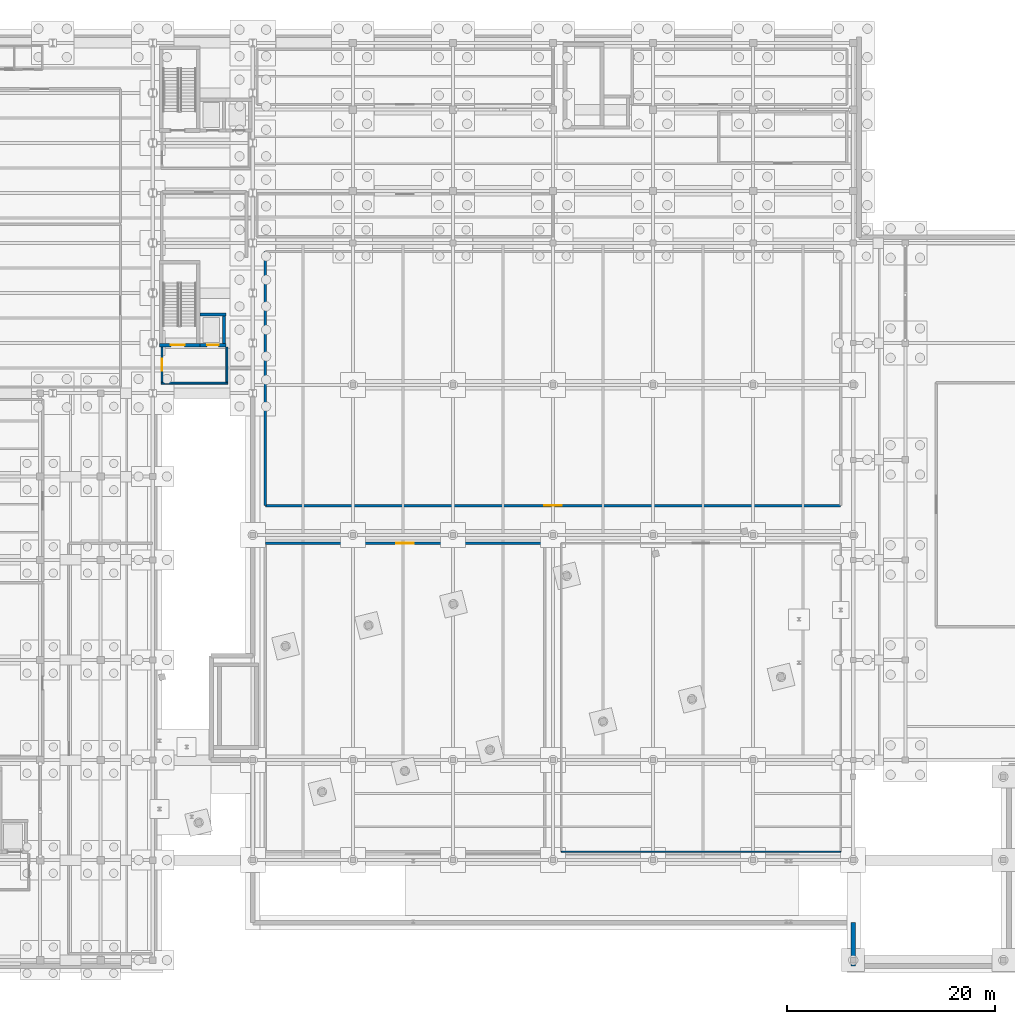
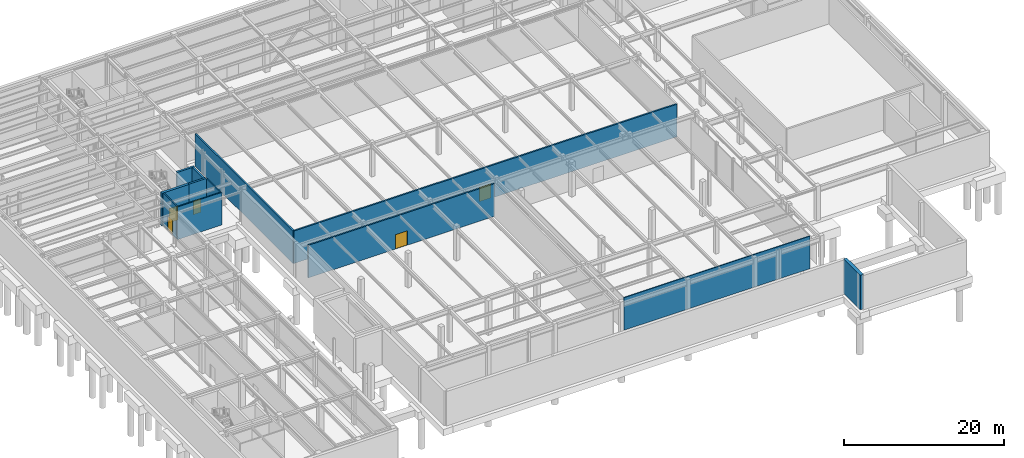
# One storey, part 24 of 33: 12 walls, 5 doors, 5 openings.
"""IFC4 building model written with IfcOpenShell, lengths in metres."""

import ifcopenshell
import ifcopenshell.guid

model = None  # the IFC model being written
_history = None  # IfcOwnerHistory: only IFC2X3 demands one
_inside = {}  # id of a spatial element -> (the spatial element, [elements in it])
_under = {}  # id of a project, library or spatial element -> (it, [spatial elements below it])
_declared = {}  # id of a project -> (the project, [libraries it declares])
_typed = {}  # id of a type object -> (the type object, [elements of that type])
_made_of = {}  # id of a material, layer set ... -> (it, [elements and type objects made of it])


def new_model(schema):
    """Start an empty IFC model of exactly this schema.

    Asked for "IFC4X3", IfcOpenShell would pick the latest addendum, in which some entities
    have other attributes; the version numbers below select the first issue.
    IFC2X3 requires an IfcOwnerHistory on every rooted entity: one is made here for all.
    """
    global model, _history
    if schema == "IFC4X3":
        model = ifcopenshell.file(schema_version=(4, 3, 0, 0))
    else:
        model = ifcopenshell.file(schema=schema)
    _inside.clear()
    _under.clear()
    _declared.clear()
    _typed.clear()
    _made_of.clear()
    _history = None
    if model.schema == "IFC2X3":
        org = make("IfcOrganization", Name="unknown")
        user = make(
            "IfcPersonAndOrganization",
            ThePerson=make("IfcPerson", FamilyName="unknown"),
            TheOrganization=org,
        )
        app = make(
            "IfcApplication",
            ApplicationDeveloper=org,
            Version="unknown",
            ApplicationFullName="unknown",
            ApplicationIdentifier="unknown",
        )
        _history = make(
            "IfcOwnerHistory",
            OwningUser=user,
            OwningApplication=app,
            ChangeAction="ADDED",
            CreationDate=0,
        )
    return model


def make(cls, **values):
    """One entity of the class cls with the attributes given. An attribute that is None is left unset."""
    return model.create_entity(
        cls, **{name: value for name, value in values.items() if value is not None}
    )


def rooted(cls, **values):
    """An entity with a GlobalId (a new one), such as an element, a storey or a relation."""
    return make(cls, GlobalId=ifcopenshell.guid.new(), OwnerHistory=_history, **values)


def si_unit(unit_type, name, prefix=None):
    """IfcSIUnit, for example si_unit("LENGTHUNIT", "METRE", prefix="MILLI")."""
    return make("IfcSIUnit", UnitType=unit_type, Prefix=prefix, Name=name)


def assignment(units):
    """IfcUnitAssignment: the units of a project."""
    return None if units is None else make("IfcUnitAssignment", Units=units)


def point(xyz):
    """IfcCartesianPoint."""
    return None if xyz is None else make("IfcCartesianPoint", Coordinates=xyz)


def direction(xyz):
    """IfcDirection."""
    return None if xyz is None else make("IfcDirection", DirectionRatios=xyz)


def frame(location, z_axis=None, x_axis=None):
    """IfcAxis2Placement3D, a coordinate frame: its origin and axes. An axis left out is left unset."""
    return make(
        "IfcAxis2Placement3D",
        Location=point(location),
        Axis=direction(z_axis),
        RefDirection=direction(x_axis),
    )


def frame_2d(location, x_axis=None):
    """IfcAxis2Placement2D, a coordinate frame in the plane: its origin and x axis."""
    return make(
        "IfcAxis2Placement2D", Location=point(location), RefDirection=direction(x_axis)
    )


def origin():
    """The frame at (0, 0, 0) with its axes left unset."""
    return frame((0.0, 0.0, 0.0))


def place(relative_to, where):
    """IfcLocalPlacement: puts the frame where relative to a parent placement (None: the world)."""
    return make(
        "IfcLocalPlacement", PlacementRelTo=relative_to, RelativePlacement=where
    )


def context(
    kind, dimensions, precision=None, world=None, true_north=None, identifier=None
):
    """IfcGeometricRepresentationContext, for example the 3D "Model" context."""
    return make(
        "IfcGeometricRepresentationContext",
        ContextIdentifier=identifier,
        ContextType=kind,
        CoordinateSpaceDimension=dimensions,
        Precision=precision,
        WorldCoordinateSystem=world,
        TrueNorth=true_north,
    )


def subcontext(parent, identifier, kind, view, scale=None):
    """IfcGeometricRepresentationSubContext, for example "Body" below "Model"."""
    return make(
        "IfcGeometricRepresentationSubContext",
        ContextIdentifier=identifier,
        ContextType=kind,
        ParentContext=parent,
        TargetScale=scale,
        TargetView=view,
    )


def project(units=None, contexts=None):
    """IfcProject with its units and contexts."""
    return rooted(
        "IfcProject",
        Name="project",
        RepresentationContexts=contexts,
        UnitsInContext=assignment(units),
    )


def spatial(cls, under=None, at=None, **own):
    """A site, building, storey or space (cls), placed at a placement, below another one or the project."""
    s = rooted(cls, ObjectPlacement=at, **own)
    if under is not None:
        _under.setdefault(under.id(), (under, []))[1].append(s)
    return s


def profile(cls, at=None, kind="AREA", **sizes):
    """A parametric profile (cls). Its sizes go by their IFC names, for example OverallWidth=200.0."""
    return make(cls, ProfileType=kind, Position=at, **sizes)


def rectangle(**sizes):
    """IfcRectangleProfileDef."""
    return profile("IfcRectangleProfileDef", **sizes)


def extrude(swept, where, along, depth):
    """IfcExtrudedAreaSolid: the profile swept, set in the frame where, extruded along a direction by depth."""
    return make(
        "IfcExtrudedAreaSolid",
        SweptArea=swept,
        Position=where,
        ExtrudedDirection=direction(along),
        Depth=depth,
    )


def shape(context_of_items, identifier, shape_type, items):
    """IfcShapeRepresentation: the items that make up one representation, for example the "Body"."""
    return make(
        "IfcShapeRepresentation",
        ContextOfItems=context_of_items,
        RepresentationIdentifier=identifier,
        RepresentationType=shape_type,
        Items=items,
    )


def material(Name=None, Category=None):
    """IfcMaterial."""
    return make("IfcMaterial", Name=Name, Category=Category)


def layer(
    of_material, thickness, ventilated=None, Name=None, Category=None, Priority=None
):
    """IfcMaterialLayer: one layer of a wall or slab, of a material (None: an air gap)."""
    return make(
        "IfcMaterialLayer",
        Material=of_material,
        LayerThickness=thickness,
        IsVentilated=ventilated,
        Name=Name,
        Category=Category,
        Priority=Priority,
    )


def layer_set(layers, Name=None):
    """IfcMaterialLayerSet."""
    return make("IfcMaterialLayerSet", MaterialLayers=layers, LayerSetName=Name)


def made_of(thing, what):
    """Note that an element or type object is made of a material, layer set ...; save() writes the relation."""
    if what is not None:
        _made_of.setdefault(what.id(), (what, []))[1].append(thing)
    return thing


def type_object(cls, material=None, **own):
    """A type object (cls), such as IfcWallType, which elements share."""
    return made_of(rooted(cls, **own), material)


def element(
    cls,
    number,
    at=None,
    inside=None,
    cuts=None,
    type_object=None,
    material=None,
    context=None,
    identifier="Body",
    shape_type=None,
    held_by="IfcProductDefinitionShape",
    body=None,
    shapes=None,
    **own,
):
    """One element of the class cls, such as IfcWall. Its Tag is "e" and its number.

    at: its placement. inside: the storey or other place that contains it. cuts: it is an
    opening in that element (IfcRelVoidsElement). A single representation is given by context,
    identifier, shape_type and body (its items); several are given by shapes. held_by: the class
    of the entity that holds the representations. save() writes the other relations.
    """
    e = rooted(cls, Tag="e%d" % number, ObjectPlacement=at, **own)
    if body is not None:
        shapes = [shape(context, identifier, shape_type, body)]
    if shapes is not None:
        e.Representation = make(held_by, Representations=shapes)
    if inside is not None:
        _inside.setdefault(inside.id(), (inside, []))[1].append(e)
    if cuts is not None:
        rooted(
            "IfcRelVoidsElement", RelatingBuildingElement=cuts, RelatedOpeningElement=e
        )
    if type_object is not None:
        _typed.setdefault(type_object.id(), (type_object, []))[1].append(e)
    return made_of(e, material)


def fill(opening, filler):
    """IfcRelFillsElement: the door or window that sits in an opening."""
    return rooted(
        "IfcRelFillsElement",
        RelatingOpeningElement=opening,
        RelatedBuildingElement=filler,
    )


def aggregate(whole, parts):
    """IfcRelAggregates: a whole, such as a stair, and the parts it consists of."""
    return rooted("IfcRelAggregates", RelatingObject=whole, RelatedObjects=parts)


def save(model, path):
    """Write the relations noted so far, then the file.

    IfcRelAggregates (storeys below a building ...), IfcRelContainedInSpatialStructure (elements
    in a storey), IfcRelDefinesByType, IfcRelAssociatesMaterial and IfcRelDeclares: one each for
    every whole, place, type object, material and project.
    """
    for whole, parts in _under.values():
        aggregate(whole, parts)
    for where, things in _inside.values():
        rooted(
            "IfcRelContainedInSpatialStructure",
            RelatedElements=things,
            RelatingStructure=where,
        )
    for kind, things in _typed.values():
        rooted("IfcRelDefinesByType", RelatedObjects=things, RelatingType=kind)
    for what, things in _made_of.values():
        rooted("IfcRelAssociatesMaterial", RelatedObjects=things, RelatingMaterial=what)
    for by, libraries in _declared.values():
        rooted("IfcRelDeclares", RelatingContext=by, RelatedDefinitions=libraries)
    model.write(path)


model = new_model("IFC4")

# Units and contexts
model_context = context("Model", 3, precision=1e-05, world=origin(), true_north=direction((0.0, 1.0)))
body_context = subcontext(model_context, "Body", "Model", "MODEL_VIEW")
ifc_project = project(units=[si_unit("LENGTHUNIT", "METRE"), si_unit("AREAUNIT", "SQUARE_METRE"), si_unit("VOLUMEUNIT", "CUBIC_METRE"), si_unit("PLANEANGLEUNIT", "RADIAN"), si_unit("MASSUNIT", "GRAM", prefix="KILO")], contexts=[model_context])

# Site, building, storey
site_placement = place(None, origin())
site = spatial("IfcSite", under=ifc_project, at=site_placement, CompositionType="ELEMENT")
building_placement = place(site_placement, origin())
building = spatial("IfcBuilding", under=site, at=building_placement, Name="Nordkorset Police Headquarters", CompositionType="ELEMENT")
storey_placement = place(building_placement, frame((0.0, 0.0, -9.800048828125)))
storey = spatial("IfcBuildingStorey", under=building, at=storey_placement, Name="B02", CompositionType="ELEMENT", Elevation=-9.800048828125)

# Wall
ifc_material_1 = material(Name="Gypsum board", Category="gypsum")
ifc_layer_1 = layer(ifc_material_1, 0.179931640625, Name="Gypsum board")
ifc_layer_set_1 = layer_set([ifc_layer_1], Name="Gypsum board")
wall_type_1 = type_object("IfcWallType", Name="Wall_Comp_180", PredefinedType="PARTITIONING", material=ifc_layer_set_1)
wall_1_placement = place(storey_placement, frame((20.0, 84.159912109375, 0.0), z_axis=(0.0, 0.0, 1.0), x_axis=(1.0, 0.0, 0.0)))
element("IfcWall", 1, at=wall_1_placement, inside=storey, type_object=wall_type_1, Name="Firefighting Lobby EI 60 Wall K3 B02 S", PredefinedType="PARTITIONING", context=body_context, shape_type="SweptSolid", body=[
    extrude(rectangle(XDim=6.39990234375, YDim=0.179931640625, at=frame_2d((3.199951171875, 0.0))), origin(), (0.0, 0.0, 1.0), 4.969970703125),
])

# Wall, opening, door
wall_2_placement = place(storey_placement, frame((20.090087890625, 84.25, 0.0), z_axis=(0.0, 0.0, 1.0), x_axis=(0.0, 1.0, 0.0)))
wall_2 = element("IfcWall", 2, at=wall_2_placement, inside=storey, type_object=wall_type_1, Name="Firefighting Lobby EI 60 Wall K3 B02 W", PredefinedType="PARTITIONING", context=body_context, shape_type="SweptSolid", body=[
    extrude(rectangle(XDim=3.375, YDim=0.179931640625, at=frame_2d((1.6875, 0.0))), origin(), (0.0, 0.0, 1.0), 4.969970703125),
])
opening_1_placement = place(wall_2_placement, frame((1.112548828125, 0.0, 0.0)))
opening_1 = element("IfcOpeningElement", 3, at=opening_1_placement, cuts=wall_2, Name="Opening DR-01", PredefinedType="OPENING", context=body_context, shape_type="SweptSolid", body=[
    extrude(rectangle(XDim=1.14990234375, YDim=2.14990234375, at=frame_2d((0.574951171875, 1.074951171875))), frame((0.0, 0.10009765625, 0.0), z_axis=(0.0, -1.0, 0.0), x_axis=(1.0, 0.0, 0.0)), (0.0, 0.0, 1.0), 0.199951171875),
])
ifc_material_2 = material(Name="Steel S355J2", Category="steel")
door_type_1 = type_object("IfcDoorType", Name="Door_LobbySingle_1150x2150", OperationType="NOTDEFINED", PredefinedType="DOOR", material=ifc_material_2)
door_1_placement = place(opening_1_placement, origin())
door_1 = element("IfcDoor", 4, at=door_1_placement, inside=storey, type_object=door_type_1, Name="Firefighting Lobby Smoke Door K3 B02 W", OperationType="SINGLE_SWING_RIGHT", OverallHeight=2.14990234375, OverallWidth=1.14990234375, PredefinedType="DOOR", context=body_context, shape_type="SweptSolid", body=[
    extrude(rectangle(XDim=1.14990234375, YDim=2.14990234375, at=frame_2d((0.574951171875, 1.074951171875))), frame((0.0, 0.02490234375, 0.0), z_axis=(0.0, -1.0, 0.0), x_axis=(1.0, 0.0, 0.0)), (0.0, 0.0, 1.0), 0.050048828125),
])
fill(opening_1, door_1)

# Wall
wall_3_placement = place(storey_placement, frame((26.31005859375, 84.25, 0.0), z_axis=(0.0, 0.0, 1.0), x_axis=(0.0, 1.0, 0.0)))
element("IfcWall", 5, at=wall_3_placement, inside=storey, type_object=wall_type_1, Name="Firefighting Lobby EI 60 Wall K3 B02 E", PredefinedType="PARTITIONING", context=body_context, shape_type="SweptSolid", body=[
    extrude(rectangle(XDim=3.375, YDim=0.179931640625, at=frame_2d((1.6875, 0.0))), origin(), (0.0, 0.0, 1.0), 4.969970703125),
])

# Wall, opening, door
ifc_material_3 = material(Name="Gypsum board", Category="gypsum")
ifc_layer_2 = layer(ifc_material_3, 0.219970703125, Name="Gypsum board")
ifc_layer_set_2 = layer_set([ifc_layer_2], Name="Gypsum board")
wall_type_2 = type_object("IfcWallType", Name="Wall_Comp_220", PredefinedType="PARTITIONING", material=ifc_layer_set_2)
wall_4_placement = place(storey_placement, frame((30.0, 72.39990234375, 0.0), z_axis=(0.0, 0.0, 1.0), x_axis=(1.0, 0.0, 0.0)))
wall_4 = element("IfcWall", 6, at=wall_4_placement, inside=storey, type_object=wall_type_2, Name="Interior Partition Wall Central Bulk Evidence Archive", PredefinedType="PARTITIONING", context=body_context, shape_type="SweptSolid", body=[
    extrude(rectangle(XDim=55.199951171875, YDim=0.219970703125, at=frame_2d((27.60009765625, 0.0))), origin(), (0.0, 0.0, 1.0), 4.969970703125),
])
opening_2_placement = place(wall_4_placement, frame((26.760009765625, 0.0, 0.0)))
opening_2 = element("IfcOpeningElement", 7, at=opening_2_placement, cuts=wall_4, Name="Opening DR-15", PredefinedType="OPENING", context=body_context, shape_type="SweptSolid", body=[
    extrude(rectangle(XDim=1.679931640625, YDim=2.199951171875, at=frame_2d((0.83984375, 1.10009765625))), frame((0.0, 0.1201171875, 0.0), z_axis=(0.0, -1.0, 0.0), x_axis=(1.0, 0.0, 0.0)), (0.0, 0.0, 1.0), 0.239990234375),
])
ifc_material_4 = material(Name="Steel S355J2", Category="steel")
door_type_2 = type_object("IfcDoorType", Name="Door_PlantDouble_1680x2200", OperationType="DOUBLE_DOOR_SINGLE_SWING", PredefinedType="DOOR", material=ifc_material_4)
door_2_placement = place(opening_2_placement, frame((1.679931640625, 0.0, 0.0), z_axis=(0.0, 0.0, 1.0), x_axis=(-1.0, 0.0, 0.0)))
door_2 = element("IfcDoor", 8, at=door_2_placement, inside=storey, type_object=door_type_2, Name="Interior Door Central Bulk Evidence Archive", OperationType="DOUBLE_DOOR_SINGLE_SWING", OverallHeight=2.199951171875, OverallWidth=1.679931640625, PredefinedType="DOOR", context=body_context, shape_type="SweptSolid", body=[
    extrude(rectangle(XDim=1.679931640625, YDim=2.199951171875, at=frame_2d((0.83984375, 1.10009765625))), frame((0.0, 0.02490234375, 0.0), z_axis=(0.0, -1.0, 0.0), x_axis=(1.0, 0.0, 0.0)), (0.0, 0.0, 1.0), 0.050048828125),
])
fill(opening_2, door_2)

# Wall
wall_5_placement = place(storey_placement, frame((30.0, 96.800048828125, 0.0), z_axis=(0.0, 0.0, 1.0), x_axis=(0.0, -1.0, 0.0)))
element("IfcWall", 9, at=wall_5_placement, inside=storey, type_object=wall_type_2, Name="Interior Partition Wall Central Bulk Evidence Archive", PredefinedType="PARTITIONING", context=body_context, shape_type="SweptSolid", body=[
    extrude(rectangle(XDim=24.400146484375, YDim=0.219970703125, at=frame_2d((12.2001953125, 0.0))), origin(), (0.0, 0.0, 1.0), 4.969970703125),
])

# Wall, opening, door
wall_6_placement = place(storey_placement, frame((56.800048828125, 68.800048828125, 0.0), z_axis=(0.0, 0.0, 1.0), x_axis=(-1.0, 0.0, 0.0)))
wall_6 = element("IfcWall", 10, at=wall_6_placement, inside=storey, type_object=wall_type_2, Name="Interior Partition Wall Basement Air Handling Plant Room", PredefinedType="PARTITIONING", context=body_context, shape_type="SweptSolid", body=[
    extrude(rectangle(XDim=26.800048828125, YDim=0.219970703125, at=frame_2d((13.39990234375, 0.0))), origin(), (0.0, 0.0, 1.0), 4.969970703125),
])
opening_3_placement = place(wall_6_placement, frame((12.56005859375, 0.0, 0.0)))
opening_3 = element("IfcOpeningElement", 11, at=opening_3_placement, cuts=wall_6, Name="Opening DR-15", PredefinedType="OPENING", context=body_context, shape_type="SweptSolid", body=[
    extrude(rectangle(XDim=1.679931640625, YDim=2.199951171875, at=frame_2d((0.83984375, 1.10009765625))), frame((0.0, 0.1201171875, 0.0), z_axis=(0.0, -1.0, 0.0), x_axis=(1.0, 0.0, 0.0)), (0.0, 0.0, 1.0), 0.239990234375),
])
door_3_placement = place(opening_3_placement, origin())
door_3 = element("IfcDoor", 12, at=door_3_placement, inside=storey, type_object=door_type_2, Name="Interior Door Basement Air Handling Plant Room", OperationType="DOUBLE_DOOR_SINGLE_SWING", OverallHeight=2.199951171875, OverallWidth=1.679931640625, PredefinedType="DOOR", context=body_context, shape_type="SweptSolid", body=[
    extrude(rectangle(XDim=1.679931640625, YDim=2.199951171875, at=frame_2d((0.83984375, 1.10009765625))), frame((0.0, 0.02490234375, 0.0), z_axis=(0.0, -1.0, 0.0), x_axis=(1.0, 0.0, 0.0)), (0.0, 0.0, 1.0), 0.050048828125),
])
fill(opening_3, door_3)

ifc_material_5 = material(Name="Concrete C35/45", Category="concrete")
ifc_layer_3 = layer(ifc_material_5, 0.35009765625, Name="Concrete C35/45")
ifc_layer_set_3 = layer_set([ifc_layer_3], Name="Concrete C35/45")
wall_type_3 = type_object("IfcWallType", Name="Wall_CoreShear_350", PredefinedType="SHEAR", material=ifc_layer_set_3)
wall_7_placement = place(storey_placement, frame((19.824951171875, 87.800048828125, 0.0), z_axis=(0.0, 0.0, 1.0), x_axis=(1.0, 0.0, 0.0)))
wall_7 = element("IfcWall", 13, at=wall_7_placement, inside=storey, type_object=wall_type_3, Name="Core K3 Stair Shaft South Shear Wall B02", PredefinedType="SHEAR", context=body_context, shape_type="SweptSolid", body=[
    extrude(rectangle(XDim=3.900146484375, YDim=0.35009765625, at=frame_2d((1.9501953125, 0.0))), origin(), (0.0, 0.0, 1.0), 4.969970703125),
])
opening_4_placement = place(wall_7_placement, frame((1.125, 0.0, 0.0)))
opening_4 = element("IfcOpeningElement", 14, at=opening_4_placement, cuts=wall_7, Name="Opening DR-20", PredefinedType="OPENING", context=body_context, shape_type="SweptSolid", body=[
    extrude(rectangle(XDim=1.300048828125, YDim=2.14990234375, at=frame_2d((0.64990234375, 1.074951171875))), frame((0.0, 0.18505859375, 0.0), z_axis=(0.0, -1.0, 0.0), x_axis=(1.0, 0.0, 0.0)), (0.0, 0.0, 1.0), 0.3701171875),
])
ifc_material_6 = material(Name="Steel S355J2", Category="steel")
door_type_3 = type_object("IfcDoorType", Name="Door_Stair_1300x2150", OperationType="NOTDEFINED", PredefinedType="DOOR", material=ifc_material_6)
door_4_placement = place(opening_4_placement, frame((1.300048828125, 0.0, 0.0), z_axis=(0.0, 0.0, 1.0), x_axis=(-1.0, 0.0, 0.0)))
door_4 = element("IfcDoor", 15, at=door_4_placement, inside=storey, type_object=door_type_3, Name="Protected Stair Fire Door ST-03 B02", OperationType="SINGLE_SWING_LEFT", OverallHeight=2.14990234375, OverallWidth=1.300048828125, PredefinedType="DOOR", context=body_context, shape_type="SweptSolid", body=[
    extrude(rectangle(XDim=1.300048828125, YDim=2.14990234375, at=frame_2d((0.64990234375, 1.074951171875))), frame((0.0, 0.02490234375, 0.0), z_axis=(0.0, -1.0, 0.0), x_axis=(1.0, 0.0, 0.0)), (0.0, 0.0, 1.0), 0.050048828125),
])
fill(opening_4, door_4)

# Walls
ifc_material_7 = material(Name="Gypsum board", Category="gypsum")
ifc_layer_4 = layer(ifc_material_7, 0.1201171875, Name="Gypsum board")
ifc_layer_set_4 = layer_set([ifc_layer_4], Name="Gypsum board")
wall_type_4 = type_object("IfcWallType", Name="Wall_Part_120", PredefinedType="PARTITIONING", material=ifc_layer_set_4)
wall_8_placement = place(storey_placement, frame((58.39990234375, 39.199951171875, 0.0), z_axis=(0.0, 0.0, 1.0), x_axis=(1.0, 0.0, 0.0)))
element("IfcWall", 16, at=wall_8_placement, inside=storey, type_object=wall_type_4, Name="Interior Partition Wall Civil Emergency Logistics Reserve", PredefinedType="PARTITIONING", context=body_context, shape_type="SweptSolid", body=[
    extrude(rectangle(XDim=26.800048828125, YDim=0.1201171875, at=frame_2d((13.39990234375, 0.0))), origin(), (0.0, 0.0, 1.0), 4.969970703125),
])
ifc_material_8 = material(Name="Concrete C40/50", Category="concrete")
ifc_layer_5 = layer(ifc_material_8, 0.449951171875, Name="Concrete C40/50")
ifc_layer_set_5 = layer_set([ifc_layer_5], Name="Concrete C40/50")
wall_type_5 = type_object("IfcWallType", Name="Wall_Retaining_450", PredefinedType="USERDEFINED", material=ifc_layer_set_5)
wall_9_placement = place(storey_placement, frame((86.39990234375, 28.25, 0.0), z_axis=(0.0, 0.0, 1.0), x_axis=(0.0, 1.0, 0.0)))
element("IfcWall", 17, at=wall_9_placement, inside=storey, type_object=wall_type_5, Name="Basement Perimeter Retaining Wall B02 W-S4A", ObjectType="RETAINING WALL", PredefinedType="USERDEFINED", context=body_context, shape_type="SweptSolid", body=[
    extrude(rectangle(XDim=4.14990234375, YDim=0.449951171875, at=frame_2d((2.074951171875, 0.0))), origin(), (0.0, 0.0, 1.0), 5.25),
])

# Wall, opening, door
ifc_material_9 = material(Name="Concrete C35/45", Category="concrete")
ifc_layer_6 = layer(ifc_material_9, 0.300048828125, Name="Concrete C35/45")
ifc_layer_set_6 = layer_set([ifc_layer_6], Name="Concrete C35/45")
wall_type_6 = type_object("IfcWallType", Name="Wall_ShaftShear_300", PredefinedType="SHEAR", material=ifc_layer_set_6)
wall_10_placement = place(storey_placement, frame((23.72509765625, 87.800048828125, 0.0), z_axis=(0.0, 0.0, 1.0), x_axis=(1.0, 0.0, 0.0)))
wall_10 = element("IfcWall", 18, at=wall_10_placement, inside=storey, type_object=wall_type_6, Name="Lift Shaft LF-03 Front Shear Wall B02", PredefinedType="SHEAR", context=body_context, shape_type="SweptSolid", body=[
    extrude(rectangle(XDim=2.5, YDim=0.300048828125, at=frame_2d((1.25, 0.0))), origin(), (0.0, 0.0, 1.0), 4.969970703125),
])
opening_5_placement = place(wall_10_placement, frame((0.699951171875, 0.0, 0.0)))
opening_5 = element("IfcOpeningElement", 19, at=opening_5_placement, cuts=wall_10, Name="Opening LD-03", PredefinedType="OPENING", context=body_context, shape_type="SweptSolid", body=[
    extrude(rectangle(XDim=1.10009765625, YDim=2.10009765625, at=frame_2d((0.550048828125, 1.050048828125))), frame((0.0, 0.16015625, 0.0), z_axis=(0.0, -1.0, 0.0), x_axis=(1.0, 0.0, 0.0)), (0.0, 0.0, 1.0), 0.320068359375),
])
ifc_material_10 = material(Name="Steel S355J2", Category="steel")
door_type_4 = type_object("IfcDoorType", Name="Door_LiftLanding_1100x2100", OperationType="SLIDING_TO_LEFT", PredefinedType="DOOR", material=ifc_material_10)
door_5_placement = place(opening_5_placement, frame((1.10009765625, 0.0, 0.0), z_axis=(0.0, 0.0, 1.0), x_axis=(-1.0, 0.0, 0.0)))
door_5 = element("IfcDoor", 20, at=door_5_placement, inside=storey, type_object=door_type_4, Name="Lift Landing Sliding Door LF-03 B02", OperationType="SLIDING_TO_LEFT", OverallHeight=2.10009765625, OverallWidth=1.10009765625, PredefinedType="DOOR", context=body_context, shape_type="SweptSolid", body=[
    extrude(rectangle(XDim=1.10009765625, YDim=2.10009765625, at=frame_2d((0.550048828125, 1.050048828125))), frame((0.0, 0.02490234375, 0.0), z_axis=(0.0, -1.0, 0.0), x_axis=(1.0, 0.0, 0.0)), (0.0, 0.0, 1.0), 0.050048828125),
])
fill(opening_5, door_5)

# Walls
wall_11_placement = place(storey_placement, frame((23.72509765625, 90.75, 0.0), z_axis=(0.0, 0.0, 1.0), x_axis=(1.0, 0.0, 0.0)))
element("IfcWall", 21, at=wall_11_placement, inside=storey, type_object=wall_type_6, Name="Lift Shaft LF-03 Rear Shear Wall B02", PredefinedType="SHEAR", context=body_context, shape_type="SweptSolid", body=[
    extrude(rectangle(XDim=2.5, YDim=0.300048828125, at=frame_2d((1.25, 0.0))), origin(), (0.0, 0.0, 1.0), 4.969970703125),
])
wall_12_placement = place(storey_placement, frame((26.050048828125, 87.949951171875, 0.0), z_axis=(0.0, 0.0, 1.0), x_axis=(0.0, 1.0, 0.0)))
element("IfcWall", 22, at=wall_12_placement, inside=storey, type_object=wall_type_6, Name="Lift Shaft LF-03 East Shear Wall B02", PredefinedType="SHEAR", context=body_context, shape_type="SweptSolid", body=[
    extrude(rectangle(XDim=2.650146484375, YDim=0.300048828125, at=frame_2d((1.3251953125, 0.0))), origin(), (0.0, 0.0, 1.0), 4.969970703125),
])

save(model, "model.ifc")
